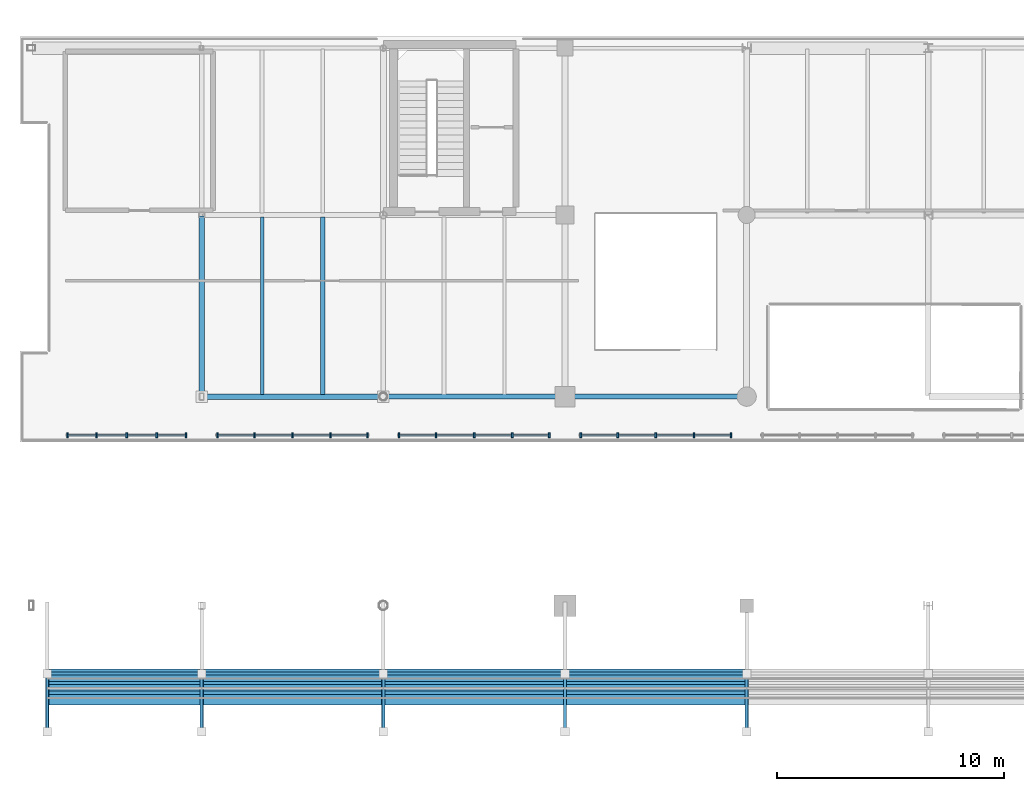
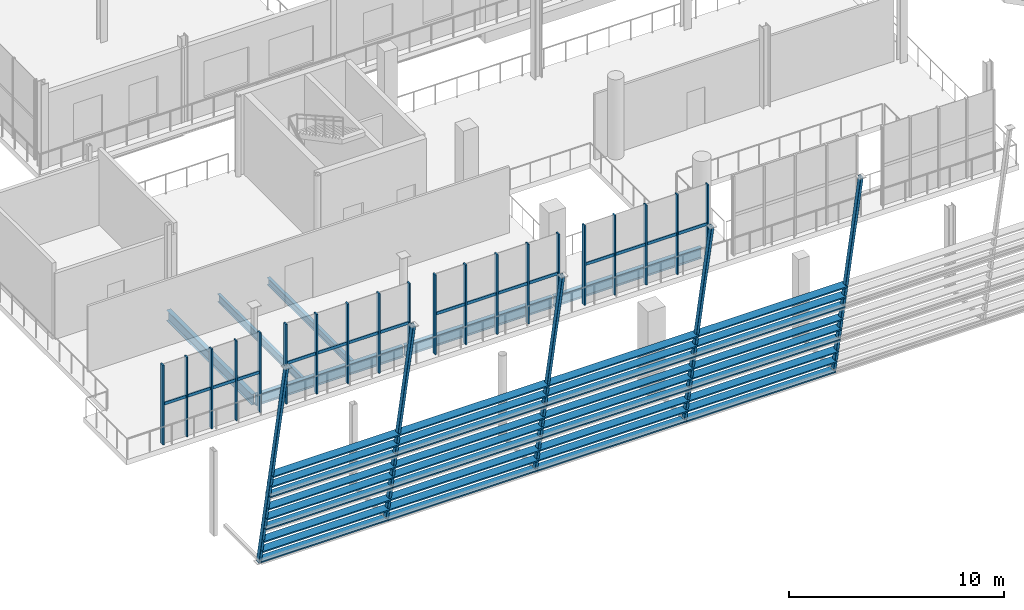
# One storey, part 30 of 93: 77 members, 6 beams, 4 elements without a shape of their own.
"""IFC4 building model written with IfcOpenShell, lengths in metres."""

from ifc_helpers import new_model, si_unit, direction, frame, origin, origin_2d, place, context, subcontext, project, spatial, rectangle, hollow_rectangle, i_section, extrude, material, material_profile, profile_set, type_object, element, aggregate, save


model = new_model("IFC4")

# Units and contexts
model_context = context("Model", 3, precision=1e-05, world=origin(), true_north=direction((0.0, 1.0)))
body_context = subcontext(model_context, "Body", "Model", "MODEL_VIEW")
ifc_project = project(units=[si_unit("LENGTHUNIT", "METRE"), si_unit("AREAUNIT", "SQUARE_METRE"), si_unit("VOLUMEUNIT", "CUBIC_METRE"), si_unit("PLANEANGLEUNIT", "RADIAN"), si_unit("MASSUNIT", "GRAM", prefix="KILO")], contexts=[model_context])

# Site, building, storey
site_placement = place(None, origin())
site = spatial("IfcSite", under=ifc_project, at=site_placement, CompositionType="ELEMENT")
building_placement = place(site_placement, origin())
building = spatial("IfcBuilding", under=site, at=building_placement, Name="Brisemont Oceanarium", CompositionType="ELEMENT")
storey_placement = place(building_placement, frame((0.0, 0.0, 5.39990234375)))
storey = spatial("IfcBuildingStorey", under=building, at=storey_placement, Name="L01", CompositionType="ELEMENT", Elevation=5.39990234375)

# Beams
ifc_material_1 = material(Name="Structural Steel ASTM A992 Gr.50", Category="steel")
ifc_material_profile_1 = material_profile(ifc_material_1, i_section(OverallWidth=0.177978515625, OverallDepth=0.404052734375, WebThickness=0.007568359375, FlangeThickness=0.010986328125, FilletRadius=0.010009765625, at=origin_2d()), Name="W16X36")
ifc_profile_set_1 = profile_set([ifc_material_profile_1], Name="Structural Steel ASTM A992 Gr.50")
beam_type_1 = type_object("IfcBeamType", Name="BM-W16X36", PredefinedType="JOIST", material=ifc_profile_set_1)
beam_1_placement = place(storey_placement, frame((21.333251953125, 16.090087890625, -0.501953125), z_axis=(0.0, 1.0, 0.0), x_axis=(-1.0, 0.0, 0.0)))
element("IfcBeam", 1, at=beam_1_placement, inside=storey, type_object=beam_type_1, Name="V2 L01 secondary floor beam", PredefinedType="JOIST", context=body_context, shape_type="SweptSolid", body=[
    extrude(i_section(OverallWidth=0.177978515625, OverallDepth=0.404052734375, WebThickness=0.007568359375, FlangeThickness=0.010986328125, FilletRadius=0.010009765625, at=origin_2d()), origin(), (0.0, 0.0, 1.0), 7.81982421875),
])
ifc_material_2 = material(Name="Structural Steel ASTM A992 Gr.50", Category="steel")
ifc_material_profile_2 = material_profile(ifc_material_2, i_section(OverallWidth=0.153076171875, OverallDepth=0.455078125, WebThickness=0.008056640625, FlangeThickness=0.01318359375, FilletRadius=0.010986328125, at=origin_2d()), Name="W18X40")
ifc_profile_set_2 = profile_set([ifc_material_profile_2], Name="Structural Steel ASTM A992 Gr.50")
beam_type_2 = type_object("IfcBeamType", Name="BM-W18X40", PredefinedType="JOIST", material=ifc_profile_set_2)
beam_2_placement = place(storey_placement, frame((18.666748046875, 16.090087890625, -0.52734375), z_axis=(0.0, 1.0, 0.0), x_axis=(-1.0, 0.0, 0.0)))
element("IfcBeam", 2, at=beam_2_placement, inside=storey, type_object=beam_type_2, Name="V2 L01 secondary floor beam", PredefinedType="JOIST", context=body_context, shape_type="SweptSolid", body=[
    extrude(i_section(OverallWidth=0.153076171875, OverallDepth=0.455078125, WebThickness=0.008056640625, FlangeThickness=0.01318359375, FilletRadius=0.010986328125, at=origin_2d()), origin(), (0.0, 0.0, 1.0), 7.81982421875),
])
ifc_material_3 = material(Name="Structural Steel ASTM A992 Gr.50", Category="steel")
ifc_material_profile_3 = material_profile(ifc_material_3, i_section(OverallWidth=0.22802734375, OverallDepth=0.60205078125, WebThickness=0.010498046875, FlangeThickness=0.014892578125, FilletRadius=0.012939453125, at=origin_2d()), Name="W24X68")
ifc_profile_set_3 = profile_set([ifc_material_profile_3], Name="Structural Steel ASTM A992 Gr.50")
beam_type_3 = type_object("IfcBeamType", Name="BM-W24X68", PredefinedType="BEAM", material=ifc_profile_set_3)
for number, where, z_axis, x_axis, name in (
    (3, (32.0400390625, 16.0, -0.600830078125), (1.0, 0.0, 0.0), (0.0, 1.0, 0.0), "V2 L01 EW girder"),
    (4, (16.0, 16.0400390625, -0.600830078125), (0.0, 1.0, 0.0), (-1.0, 0.0, 0.0), "V2 L01 NS girder"),
):
    element("IfcBeam", number, at=place(storey_placement, frame(where, z_axis=z_axis, x_axis=x_axis)), inside=storey, type_object=beam_type_3, Name=name, PredefinedType="BEAM", context=body_context, shape_type="SweptSolid", body=[
        extrude(i_section(OverallWidth=0.22802734375, OverallDepth=0.60205078125, WebThickness=0.010498046875, FlangeThickness=0.014892578125, FilletRadius=0.012939453125, at=origin_2d()), origin(), (0.0, 0.0, 1.0), 7.919921875),
    ])
ifc_material_4 = material(Name="Structural Steel ASTM A992 Gr.50", Category="steel")
ifc_material_profile_4 = material_profile(ifc_material_4, i_section(OverallWidth=0.22802734375, OverallDepth=0.60791015625, WebThickness=0.01123046875, FlangeThickness=0.017333984375, FilletRadius=0.012939453125, at=origin_2d()), Name="W24X76")
ifc_profile_set_4 = profile_set([ifc_material_profile_4], Name="Structural Steel ASTM A992 Gr.50")
beam_type_4 = type_object("IfcBeamType", Name="BM-W24X76", PredefinedType="BEAM", material=ifc_profile_set_4)
beam_3_placement = place(storey_placement, frame((24.0400390625, 16.0, -0.60400390625), z_axis=(1.0, 0.0, 0.0), x_axis=(0.0, 1.0, 0.0)))
element("IfcBeam", 5, at=beam_3_placement, inside=storey, type_object=beam_type_4, Name="V2 L01 EW girder", PredefinedType="BEAM", context=body_context, shape_type="SweptSolid", body=[
    extrude(i_section(OverallWidth=0.22802734375, OverallDepth=0.60791015625, WebThickness=0.01123046875, FlangeThickness=0.017333984375, FilletRadius=0.012939453125, at=origin_2d()), origin(), (0.0, 0.0, 1.0), 7.919921875),
])
ifc_material_5 = material(Name="Structural Steel ASTM A992 Gr.50", Category="steel")
ifc_material_profile_5 = material_profile(ifc_material_5, i_section(OverallWidth=0.22900390625, OverallDepth=0.612060546875, WebThickness=0.011962890625, FlangeThickness=0.01953125, FilletRadius=0.012939453125, at=origin_2d()), Name="W24X84")
ifc_profile_set_5 = profile_set([ifc_material_profile_5], Name="Structural Steel ASTM A992 Gr.50")
beam_type_5 = type_object("IfcBeamType", Name="BM-W24X84", PredefinedType="BEAM", material=ifc_profile_set_5)
beam_4_placement = place(storey_placement, frame((16.0400390625, 16.0, -0.60595703125), z_axis=(1.0, 0.0, 0.0), x_axis=(0.0, 1.0, 0.0)))
element("IfcBeam", 6, at=beam_4_placement, inside=storey, type_object=beam_type_5, Name="V2 L01 EW girder", PredefinedType="BEAM", context=body_context, shape_type="SweptSolid", body=[
    extrude(i_section(OverallWidth=0.22900390625, OverallDepth=0.612060546875, WebThickness=0.011962890625, FlangeThickness=0.01953125, FilletRadius=0.012939453125, at=origin_2d()), origin(), (0.0, 0.0, 1.0), 7.919921875),
])

# Curtain wall, members
ifc_material_6 = material(Name="Anodized Extruded Aluminum 6063-T6", Category="aluminium")
curtain_wall_type = type_object("IfcCurtainWallType", Name="CW-HALL-63X50", PredefinedType="NOTDEFINED", material=ifc_material_6)
curtain_wall_1_placement = place(storey_placement, origin())
curtain_wall_1 = element("IfcCurtainWall", 7, at=curtain_wall_1_placement, inside=storey, type_object=curtain_wall_type, Name="CW-05 curtain wall CW-V2-S-L01-01", PredefinedType="NOTDEFINED")
ifc_material_7 = material(Name="Anodized Extruded Aluminum 6063-T6", Category="aluminium")
ifc_material_profile_6 = material_profile(ifc_material_7, rectangle(XDim=0.074951171875, YDim=0.219970703125, at=origin_2d()), Name="CWM-75X220")
ifc_profile_set_6 = profile_set([ifc_material_profile_6], Name="Anodized Extruded Aluminum 6063-T6")
member_type_1 = type_object("IfcMemberType", Name="MEM-CWM-75", PredefinedType="MULLION", material=ifc_profile_set_6)
member_1_placement = place(storey_placement, frame((10.094970703125, 14.300048828125, 0.0), z_axis=(0.0, 0.0, 1.0), x_axis=(1.0, 0.0, 0.0)))
member_1 = element("IfcMember", 8, at=member_1_placement, type_object=member_type_1, Name="CW-V2-S-L01-01 mullion 1", PredefinedType="MULLION", context=body_context, shape_type="SweptSolid", body=[
    extrude(rectangle(XDim=0.074951171875, YDim=0.219970703125, at=origin_2d()), origin(), (0.0, 0.0, 1.0), 4.52001953125),
])
member_2_placement = place(storey_placement, frame((11.375, 14.300048828125, 0.0), z_axis=(0.0, 0.0, 1.0), x_axis=(1.0, 0.0, 0.0)))
member_2 = element("IfcMember", 9, at=member_2_placement, type_object=member_type_1, Name="CW-V2-S-L01-01 mullion 2", PredefinedType="MULLION", context=body_context, shape_type="SweptSolid", body=[
    extrude(rectangle(XDim=0.074951171875, YDim=0.219970703125, at=origin_2d()), origin(), (0.0, 0.0, 1.0), 4.52001953125),
])
member_3_placement = place(storey_placement, frame((12.699951171875, 14.300048828125, 0.0), z_axis=(0.0, 0.0, 1.0), x_axis=(1.0, 0.0, 0.0)))
member_3 = element("IfcMember", 10, at=member_3_placement, type_object=member_type_1, Name="CW-V2-S-L01-01 mullion 3", PredefinedType="MULLION", context=body_context, shape_type="SweptSolid", body=[
    extrude(rectangle(XDim=0.074951171875, YDim=0.219970703125, at=origin_2d()), origin(), (0.0, 0.0, 1.0), 4.52001953125),
])
member_4_placement = place(storey_placement, frame((14.02490234375, 14.300048828125, 0.0), z_axis=(0.0, 0.0, 1.0), x_axis=(1.0, 0.0, 0.0)))
member_4 = element("IfcMember", 11, at=member_4_placement, type_object=member_type_1, Name="CW-V2-S-L01-01 mullion 4", PredefinedType="MULLION", context=body_context, shape_type="SweptSolid", body=[
    extrude(rectangle(XDim=0.074951171875, YDim=0.219970703125, at=origin_2d()), origin(), (0.0, 0.0, 1.0), 4.52001953125),
])
member_5_placement = place(storey_placement, frame((15.304931640625, 14.300048828125, 0.0), z_axis=(0.0, 0.0, 1.0), x_axis=(1.0, 0.0, 0.0)))
member_5 = element("IfcMember", 12, at=member_5_placement, type_object=member_type_1, Name="CW-V2-S-L01-01 mullion 5", PredefinedType="MULLION", context=body_context, shape_type="SweptSolid", body=[
    extrude(rectangle(XDim=0.074951171875, YDim=0.219970703125, at=origin_2d()), origin(), (0.0, 0.0, 1.0), 4.52001953125),
])

curtain_wall_2_placement = place(storey_placement, origin())
curtain_wall_2 = element("IfcCurtainWall", 13, at=curtain_wall_2_placement, inside=storey, type_object=curtain_wall_type, Name="CW-05 curtain wall CW-V2-S-L01-02", PredefinedType="NOTDEFINED")
member_6_placement = place(storey_placement, frame((16.695068359375, 14.300048828125, 0.0), z_axis=(0.0, 0.0, 1.0), x_axis=(1.0, 0.0, 0.0)))
member_6 = element("IfcMember", 14, at=member_6_placement, type_object=member_type_1, Name="CW-V2-S-L01-02 mullion 1", PredefinedType="MULLION", context=body_context, shape_type="SweptSolid", body=[
    extrude(rectangle(XDim=0.074951171875, YDim=0.219970703125, at=origin_2d()), origin(), (0.0, 0.0, 1.0), 4.52001953125),
])
member_7_placement = place(storey_placement, frame((18.324951171875, 14.300048828125, 0.0), z_axis=(0.0, 0.0, 1.0), x_axis=(1.0, 0.0, 0.0)))
member_7 = element("IfcMember", 15, at=member_7_placement, type_object=member_type_1, Name="CW-V2-S-L01-02 mullion 2", PredefinedType="MULLION", context=body_context, shape_type="SweptSolid", body=[
    extrude(rectangle(XDim=0.074951171875, YDim=0.219970703125, at=origin_2d()), origin(), (0.0, 0.0, 1.0), 4.52001953125),
])
member_8_placement = place(storey_placement, frame((20.0, 14.300048828125, 0.0), z_axis=(0.0, 0.0, 1.0), x_axis=(1.0, 0.0, 0.0)))
member_8 = element("IfcMember", 16, at=member_8_placement, type_object=member_type_1, Name="CW-V2-S-L01-02 mullion 3", PredefinedType="MULLION", context=body_context, shape_type="SweptSolid", body=[
    extrude(rectangle(XDim=0.074951171875, YDim=0.219970703125, at=origin_2d()), origin(), (0.0, 0.0, 1.0), 4.52001953125),
])
member_9_placement = place(storey_placement, frame((21.675048828125, 14.300048828125, 0.0), z_axis=(0.0, 0.0, 1.0), x_axis=(1.0, 0.0, 0.0)))
member_9 = element("IfcMember", 17, at=member_9_placement, type_object=member_type_1, Name="CW-V2-S-L01-02 mullion 4", PredefinedType="MULLION", context=body_context, shape_type="SweptSolid", body=[
    extrude(rectangle(XDim=0.074951171875, YDim=0.219970703125, at=origin_2d()), origin(), (0.0, 0.0, 1.0), 4.52001953125),
])
member_10_placement = place(storey_placement, frame((23.304931640625, 14.300048828125, 0.0), z_axis=(0.0, 0.0, 1.0), x_axis=(1.0, 0.0, 0.0)))
member_10 = element("IfcMember", 18, at=member_10_placement, type_object=member_type_1, Name="CW-V2-S-L01-02 mullion 5", PredefinedType="MULLION", context=body_context, shape_type="SweptSolid", body=[
    extrude(rectangle(XDim=0.074951171875, YDim=0.219970703125, at=origin_2d()), origin(), (0.0, 0.0, 1.0), 4.52001953125),
])

curtain_wall_3_placement = place(storey_placement, origin())
curtain_wall_3 = element("IfcCurtainWall", 19, at=curtain_wall_3_placement, inside=storey, type_object=curtain_wall_type, Name="CW-05 curtain wall CW-V2-S-L01-03", PredefinedType="NOTDEFINED")
member_11_placement = place(storey_placement, frame((24.695068359375, 14.300048828125, 0.0), z_axis=(0.0, 0.0, 1.0), x_axis=(1.0, 0.0, 0.0)))
member_11 = element("IfcMember", 20, at=member_11_placement, type_object=member_type_1, Name="CW-V2-S-L01-03 mullion 1", PredefinedType="MULLION", context=body_context, shape_type="SweptSolid", body=[
    extrude(rectangle(XDim=0.074951171875, YDim=0.219970703125, at=origin_2d()), origin(), (0.0, 0.0, 1.0), 4.52001953125),
])
member_12_placement = place(storey_placement, frame((26.324951171875, 14.300048828125, 0.0), z_axis=(0.0, 0.0, 1.0), x_axis=(1.0, 0.0, 0.0)))
member_12 = element("IfcMember", 21, at=member_12_placement, type_object=member_type_1, Name="CW-V2-S-L01-03 mullion 2", PredefinedType="MULLION", context=body_context, shape_type="SweptSolid", body=[
    extrude(rectangle(XDim=0.074951171875, YDim=0.219970703125, at=origin_2d()), origin(), (0.0, 0.0, 1.0), 4.52001953125),
])
member_13_placement = place(storey_placement, frame((28.0, 14.300048828125, 0.0), z_axis=(0.0, 0.0, 1.0), x_axis=(1.0, 0.0, 0.0)))
member_13 = element("IfcMember", 22, at=member_13_placement, type_object=member_type_1, Name="CW-V2-S-L01-03 mullion 3", PredefinedType="MULLION", context=body_context, shape_type="SweptSolid", body=[
    extrude(rectangle(XDim=0.074951171875, YDim=0.219970703125, at=origin_2d()), origin(), (0.0, 0.0, 1.0), 4.52001953125),
])
member_14_placement = place(storey_placement, frame((29.675048828125, 14.300048828125, 0.0), z_axis=(0.0, 0.0, 1.0), x_axis=(1.0, 0.0, 0.0)))
member_14 = element("IfcMember", 23, at=member_14_placement, type_object=member_type_1, Name="CW-V2-S-L01-03 mullion 4", PredefinedType="MULLION", context=body_context, shape_type="SweptSolid", body=[
    extrude(rectangle(XDim=0.074951171875, YDim=0.219970703125, at=origin_2d()), origin(), (0.0, 0.0, 1.0), 4.52001953125),
])
member_15_placement = place(storey_placement, frame((31.304931640625, 14.300048828125, 0.0), z_axis=(0.0, 0.0, 1.0), x_axis=(1.0, 0.0, 0.0)))
member_15 = element("IfcMember", 24, at=member_15_placement, type_object=member_type_1, Name="CW-V2-S-L01-03 mullion 5", PredefinedType="MULLION", context=body_context, shape_type="SweptSolid", body=[
    extrude(rectangle(XDim=0.074951171875, YDim=0.219970703125, at=origin_2d()), origin(), (0.0, 0.0, 1.0), 4.52001953125),
])

curtain_wall_4_placement = place(storey_placement, origin())
curtain_wall_4 = element("IfcCurtainWall", 25, at=curtain_wall_4_placement, inside=storey, type_object=curtain_wall_type, Name="CW-05 curtain wall CW-V2-S-L01-04", PredefinedType="NOTDEFINED")
member_16_placement = place(storey_placement, frame((32.695068359375, 14.300048828125, 0.0), z_axis=(0.0, 0.0, 1.0), x_axis=(1.0, 0.0, 0.0)))
member_16 = element("IfcMember", 26, at=member_16_placement, type_object=member_type_1, Name="CW-V2-S-L01-04 mullion 1", PredefinedType="MULLION", context=body_context, shape_type="SweptSolid", body=[
    extrude(rectangle(XDim=0.074951171875, YDim=0.219970703125, at=origin_2d()), origin(), (0.0, 0.0, 1.0), 4.52001953125),
])
member_17_placement = place(storey_placement, frame((34.324951171875, 14.300048828125, 0.0), z_axis=(0.0, 0.0, 1.0), x_axis=(1.0, 0.0, 0.0)))
member_17 = element("IfcMember", 27, at=member_17_placement, type_object=member_type_1, Name="CW-V2-S-L01-04 mullion 2", PredefinedType="MULLION", context=body_context, shape_type="SweptSolid", body=[
    extrude(rectangle(XDim=0.074951171875, YDim=0.219970703125, at=origin_2d()), origin(), (0.0, 0.0, 1.0), 4.52001953125),
])
member_18_placement = place(storey_placement, frame((36.0, 14.300048828125, 0.0), z_axis=(0.0, 0.0, 1.0), x_axis=(1.0, 0.0, 0.0)))
member_18 = element("IfcMember", 28, at=member_18_placement, type_object=member_type_1, Name="CW-V2-S-L01-04 mullion 3", PredefinedType="MULLION", context=body_context, shape_type="SweptSolid", body=[
    extrude(rectangle(XDim=0.074951171875, YDim=0.219970703125, at=origin_2d()), origin(), (0.0, 0.0, 1.0), 4.52001953125),
])
member_19_placement = place(storey_placement, frame((37.675048828125, 14.300048828125, 0.0), z_axis=(0.0, 0.0, 1.0), x_axis=(1.0, 0.0, 0.0)))
member_19 = element("IfcMember", 29, at=member_19_placement, type_object=member_type_1, Name="CW-V2-S-L01-04 mullion 4", PredefinedType="MULLION", context=body_context, shape_type="SweptSolid", body=[
    extrude(rectangle(XDim=0.074951171875, YDim=0.219970703125, at=origin_2d()), origin(), (0.0, 0.0, 1.0), 4.52001953125),
])
member_20_placement = place(storey_placement, frame((39.304931640625, 14.300048828125, 0.0), z_axis=(0.0, 0.0, 1.0), x_axis=(1.0, 0.0, 0.0)))
member_20 = element("IfcMember", 30, at=member_20_placement, type_object=member_type_1, Name="CW-V2-S-L01-04 mullion 5", PredefinedType="MULLION", context=body_context, shape_type="SweptSolid", body=[
    extrude(rectangle(XDim=0.074951171875, YDim=0.219970703125, at=origin_2d()), origin(), (0.0, 0.0, 1.0), 4.52001953125),
])

# Member
ifc_material_8 = material(Name="Anodized Extruded Aluminum 6063-T6", Category="aluminium")
ifc_material_profile_7 = material_profile(ifc_material_8, rectangle(XDim=0.074951171875, YDim=0.1650390625, at=origin_2d()), Name="CWT-75X165")
ifc_profile_set_7 = profile_set([ifc_material_profile_7], Name="Anodized Extruded Aluminum 6063-T6")
member_type_2 = type_object("IfcMemberType", Name="MEM-CWT-75", PredefinedType="USERDEFINED", material=ifc_profile_set_7)
member_21_placement = place(storey_placement, frame((10.06494140625, 14.300048828125, 2.260009765625), z_axis=(1.0, 0.0, 0.0), x_axis=(0.0, 1.0, 0.0)))
member_21 = element("IfcMember", 31, at=member_21_placement, type_object=member_type_2, Name="CW-V2-S-L01-01 transom 1.1", ObjectType="TRANSOM", PredefinedType="USERDEFINED", context=body_context, shape_type="SweptSolid", body=[
    extrude(rectangle(XDim=0.074951171875, YDim=0.1650390625, at=origin_2d()), origin(), (0.0, 0.0, 1.0), 1.295166015625),
])

member_22_placement = place(storey_placement, frame((11.389892578125, 14.300048828125, 2.260009765625), z_axis=(1.0, 0.0, 0.0), x_axis=(0.0, 1.0, 0.0)))
member_22 = element("IfcMember", 32, at=member_22_placement, type_object=member_type_2, Name="CW-V2-S-L01-01 transom 2.1", ObjectType="TRANSOM", PredefinedType="USERDEFINED", context=body_context, shape_type="SweptSolid", body=[
    extrude(rectangle(XDim=0.074951171875, YDim=0.1650390625, at=origin_2d()), origin(), (0.0, 0.0, 1.0), 1.295166015625),
])

member_23_placement = place(storey_placement, frame((12.715087890625, 14.300048828125, 2.260009765625), z_axis=(1.0, 0.0, 0.0), x_axis=(0.0, 1.0, 0.0)))
member_23 = element("IfcMember", 33, at=member_23_placement, type_object=member_type_2, Name="CW-V2-S-L01-01 transom 3.1", ObjectType="TRANSOM", PredefinedType="USERDEFINED", context=body_context, shape_type="SweptSolid", body=[
    extrude(rectangle(XDim=0.074951171875, YDim=0.1650390625, at=origin_2d()), origin(), (0.0, 0.0, 1.0), 1.294921875),
])

member_24_placement = place(storey_placement, frame((14.0400390625, 14.300048828125, 2.260009765625), z_axis=(1.0, 0.0, 0.0), x_axis=(0.0, 1.0, 0.0)))
member_24 = element("IfcMember", 34, at=member_24_placement, type_object=member_type_2, Name="CW-V2-S-L01-01 transom 4.1", ObjectType="TRANSOM", PredefinedType="USERDEFINED", context=body_context, shape_type="SweptSolid", body=[
    extrude(rectangle(XDim=0.074951171875, YDim=0.1650390625, at=origin_2d()), origin(), (0.0, 0.0, 1.0), 1.294921875),
])

aggregate(curtain_wall_1, [member_1, member_2, member_3, member_4, member_5, member_21, member_22, member_23, member_24])

member_25_placement = place(storey_placement, frame((16.6650390625, 14.300048828125, 2.260009765625), z_axis=(1.0, 0.0, 0.0), x_axis=(0.0, 1.0, 0.0)))
member_25 = element("IfcMember", 35, at=member_25_placement, type_object=member_type_2, Name="CW-V2-S-L01-02 transom 1.1", ObjectType="TRANSOM", PredefinedType="USERDEFINED", context=body_context, shape_type="SweptSolid", body=[
    extrude(rectangle(XDim=0.074951171875, YDim=0.1650390625, at=origin_2d()), origin(), (0.0, 0.0, 1.0), 1.64501953125),
])

member_26_placement = place(storey_placement, frame((18.340087890625, 14.300048828125, 2.260009765625), z_axis=(1.0, 0.0, 0.0), x_axis=(0.0, 1.0, 0.0)))
member_26 = element("IfcMember", 36, at=member_26_placement, type_object=member_type_2, Name="CW-V2-S-L01-02 transom 2.1", ObjectType="TRANSOM", PredefinedType="USERDEFINED", context=body_context, shape_type="SweptSolid", body=[
    extrude(rectangle(XDim=0.074951171875, YDim=0.1650390625, at=origin_2d()), origin(), (0.0, 0.0, 1.0), 1.64501953125),
])

member_27_placement = place(storey_placement, frame((20.014892578125, 14.300048828125, 2.260009765625), z_axis=(1.0, 0.0, 0.0), x_axis=(0.0, 1.0, 0.0)))
member_27 = element("IfcMember", 37, at=member_27_placement, type_object=member_type_2, Name="CW-V2-S-L01-02 transom 3.1", ObjectType="TRANSOM", PredefinedType="USERDEFINED", context=body_context, shape_type="SweptSolid", body=[
    extrude(rectangle(XDim=0.074951171875, YDim=0.1650390625, at=origin_2d()), origin(), (0.0, 0.0, 1.0), 1.64501953125),
])

member_28_placement = place(storey_placement, frame((21.68994140625, 14.300048828125, 2.260009765625), z_axis=(1.0, 0.0, 0.0), x_axis=(0.0, 1.0, 0.0)))
member_28 = element("IfcMember", 38, at=member_28_placement, type_object=member_type_2, Name="CW-V2-S-L01-02 transom 4.1", ObjectType="TRANSOM", PredefinedType="USERDEFINED", context=body_context, shape_type="SweptSolid", body=[
    extrude(rectangle(XDim=0.074951171875, YDim=0.1650390625, at=origin_2d()), origin(), (0.0, 0.0, 1.0), 1.64501953125),
])

aggregate(curtain_wall_2, [member_6, member_7, member_8, member_9, member_10, member_25, member_26, member_27, member_28])

member_29_placement = place(storey_placement, frame((24.6650390625, 14.300048828125, 2.260009765625), z_axis=(1.0, 0.0, 0.0), x_axis=(0.0, 1.0, 0.0)))
member_29 = element("IfcMember", 39, at=member_29_placement, type_object=member_type_2, Name="CW-V2-S-L01-03 transom 1.1", ObjectType="TRANSOM", PredefinedType="USERDEFINED", context=body_context, shape_type="SweptSolid", body=[
    extrude(rectangle(XDim=0.074951171875, YDim=0.1650390625, at=origin_2d()), origin(), (0.0, 0.0, 1.0), 1.64501953125),
])

member_30_placement = place(storey_placement, frame((26.340087890625, 14.300048828125, 2.260009765625), z_axis=(1.0, 0.0, 0.0), x_axis=(0.0, 1.0, 0.0)))
member_30 = element("IfcMember", 40, at=member_30_placement, type_object=member_type_2, Name="CW-V2-S-L01-03 transom 2.1", ObjectType="TRANSOM", PredefinedType="USERDEFINED", context=body_context, shape_type="SweptSolid", body=[
    extrude(rectangle(XDim=0.074951171875, YDim=0.1650390625, at=origin_2d()), origin(), (0.0, 0.0, 1.0), 1.64501953125),
])

member_31_placement = place(storey_placement, frame((28.014892578125, 14.300048828125, 2.260009765625), z_axis=(1.0, 0.0, 0.0), x_axis=(0.0, 1.0, 0.0)))
member_31 = element("IfcMember", 41, at=member_31_placement, type_object=member_type_2, Name="CW-V2-S-L01-03 transom 3.1", ObjectType="TRANSOM", PredefinedType="USERDEFINED", context=body_context, shape_type="SweptSolid", body=[
    extrude(rectangle(XDim=0.074951171875, YDim=0.1650390625, at=origin_2d()), origin(), (0.0, 0.0, 1.0), 1.64501953125),
])

member_32_placement = place(storey_placement, frame((29.68994140625, 14.300048828125, 2.260009765625), z_axis=(1.0, 0.0, 0.0), x_axis=(0.0, 1.0, 0.0)))
member_32 = element("IfcMember", 42, at=member_32_placement, type_object=member_type_2, Name="CW-V2-S-L01-03 transom 4.1", ObjectType="TRANSOM", PredefinedType="USERDEFINED", context=body_context, shape_type="SweptSolid", body=[
    extrude(rectangle(XDim=0.074951171875, YDim=0.1650390625, at=origin_2d()), origin(), (0.0, 0.0, 1.0), 1.64501953125),
])

aggregate(curtain_wall_3, [member_11, member_12, member_13, member_14, member_15, member_29, member_30, member_31, member_32])

member_33_placement = place(storey_placement, frame((32.6650390625, 14.300048828125, 2.260009765625), z_axis=(1.0, 0.0, 0.0), x_axis=(0.0, 1.0, 0.0)))
member_33 = element("IfcMember", 43, at=member_33_placement, type_object=member_type_2, Name="CW-V2-S-L01-04 transom 1.1", ObjectType="TRANSOM", PredefinedType="USERDEFINED", context=body_context, shape_type="SweptSolid", body=[
    extrude(rectangle(XDim=0.074951171875, YDim=0.1650390625, at=origin_2d()), origin(), (0.0, 0.0, 1.0), 1.64501953125),
])

member_34_placement = place(storey_placement, frame((34.340087890625, 14.300048828125, 2.260009765625), z_axis=(1.0, 0.0, 0.0), x_axis=(0.0, 1.0, 0.0)))
member_34 = element("IfcMember", 44, at=member_34_placement, type_object=member_type_2, Name="CW-V2-S-L01-04 transom 2.1", ObjectType="TRANSOM", PredefinedType="USERDEFINED", context=body_context, shape_type="SweptSolid", body=[
    extrude(rectangle(XDim=0.074951171875, YDim=0.1650390625, at=origin_2d()), origin(), (0.0, 0.0, 1.0), 1.64501953125),
])

member_35_placement = place(storey_placement, frame((36.014892578125, 14.300048828125, 2.260009765625), z_axis=(1.0, 0.0, 0.0), x_axis=(0.0, 1.0, 0.0)))
member_35 = element("IfcMember", 45, at=member_35_placement, type_object=member_type_2, Name="CW-V2-S-L01-04 transom 3.1", ObjectType="TRANSOM", PredefinedType="USERDEFINED", context=body_context, shape_type="SweptSolid", body=[
    extrude(rectangle(XDim=0.074951171875, YDim=0.1650390625, at=origin_2d()), origin(), (0.0, 0.0, 1.0), 1.64501953125),
])

member_36_placement = place(storey_placement, frame((37.68994140625, 14.300048828125, 2.260009765625), z_axis=(1.0, 0.0, 0.0), x_axis=(0.0, 1.0, 0.0)))
member_36 = element("IfcMember", 46, at=member_36_placement, type_object=member_type_2, Name="CW-V2-S-L01-04 transom 4.1", ObjectType="TRANSOM", PredefinedType="USERDEFINED", context=body_context, shape_type="SweptSolid", body=[
    extrude(rectangle(XDim=0.074951171875, YDim=0.1650390625, at=origin_2d()), origin(), (0.0, 0.0, 1.0), 1.64501953125),
])

aggregate(curtain_wall_4, [member_16, member_17, member_18, member_19, member_20, member_33, member_34, member_35, member_36])

# Members
ifc_material_9 = material(Name="Architectural Bronze-Anodized Cedar Composite")
ifc_material_profile_8 = material_profile(ifc_material_9, rectangle(XDim=0.47998046875, YDim=0.074951171875, at=origin_2d()), Name="LOUVRE-480X75")
ifc_profile_set_8 = profile_set([ifc_material_profile_8], Name="Architectural Bronze-Anodized Cedar Composite")
member_type_3 = type_object("IfcMemberType", Name="MEM-LV-480", PredefinedType="USERDEFINED", material=ifc_profile_set_8)
for number, where, z_axis, x_axis, name in (
    (47, (9.199951171875, 3.773681640625, 0.130126953125), (1.0, 0.0, 0.0), (0.0, 1.0, 0.0), "V2 stepped horizontal louvre blade T1.1.1"),
    (48, (9.199951171875, 3.641357421875, 0.780029296875), (1.0, 0.0, 0.0), (0.0, 1.0, 0.0), "V2 stepped horizontal louvre blade T1.1.2"),
    (49, (9.199951171875, 3.509033203125, 1.43017578125), (1.0, 0.0, 0.0), (0.0, 1.0, 0.0), "V2 stepped horizontal louvre blade T1.1.3"),
):
    element("IfcMember", number, at=place(storey_placement, frame(where, z_axis=z_axis, x_axis=x_axis)), inside=storey, type_object=member_type_3, Name=name, ObjectType="LOUVRE_BLADE", PredefinedType="USERDEFINED", context=body_context, shape_type="SweptSolid", body=[
        extrude(rectangle(XDim=0.47998046875, YDim=0.074951171875, at=origin_2d()), origin(), (0.0, 0.0, 1.0), 6.800048828125),
    ])
for number, where, z_axis, x_axis, name in (
    (50, (16.0, 3.773681640625, 0.130126953125), (1.0, 0.0, 0.0), (0.0, 1.0, 0.0), "V2 stepped horizontal louvre blade T1.2.1"),
    (51, (16.0, 3.641357421875, 0.780029296875), (1.0, 0.0, 0.0), (0.0, 1.0, 0.0), "V2 stepped horizontal louvre blade T1.2.2"),
    (52, (16.0, 3.509033203125, 1.43017578125), (1.0, 0.0, 0.0), (0.0, 1.0, 0.0), "V2 stepped horizontal louvre blade T1.2.3"),
    (53, (24.0, 3.773681640625, 0.130126953125), (1.0, 0.0, 0.0), (0.0, 1.0, 0.0), "V2 stepped horizontal louvre blade T1.3.1"),
    (54, (24.0, 3.641357421875, 0.780029296875), (1.0, 0.0, 0.0), (0.0, 1.0, 0.0), "V2 stepped horizontal louvre blade T1.3.2"),
    (55, (24.0, 3.509033203125, 1.43017578125), (1.0, 0.0, 0.0), (0.0, 1.0, 0.0), "V2 stepped horizontal louvre blade T1.3.3"),
    (56, (32.0, 3.773681640625, 0.130126953125), (1.0, 0.0, 0.0), (0.0, 1.0, 0.0), "V2 stepped horizontal louvre blade T1.4.1"),
    (57, (32.0, 3.641357421875, 0.780029296875), (1.0, 0.0, 0.0), (0.0, 1.0, 0.0), "V2 stepped horizontal louvre blade T1.4.2"),
    (58, (32.0, 3.509033203125, 1.43017578125), (1.0, 0.0, 0.0), (0.0, 1.0, 0.0), "V2 stepped horizontal louvre blade T1.4.3"),
):
    element("IfcMember", number, at=place(storey_placement, frame(where, z_axis=z_axis, x_axis=x_axis)), inside=storey, type_object=member_type_3, Name=name, ObjectType="LOUVRE_BLADE", PredefinedType="USERDEFINED", context=body_context, shape_type="SweptSolid", body=[
        extrude(rectangle(XDim=0.47998046875, YDim=0.074951171875, at=origin_2d()), origin(), (0.0, 0.0, 1.0), 8.0),
    ])
for number, where, z_axis, x_axis, name in (
    (59, (9.199951171875, 3.34619140625, 2.22998046875), (1.0, 0.0, 0.0), (0.0, 1.0, 0.0), "V2 stepped horizontal louvre blade T2.1.1"),
    (60, (9.199951171875, 3.214111328125, 2.880126953125), (1.0, 0.0, 0.0), (0.0, 1.0, 0.0), "V2 stepped horizontal louvre blade T2.1.2"),
    (61, (9.199951171875, 3.081787109375, 3.530029296875), (1.0, 0.0, 0.0), (0.0, 1.0, 0.0), "V2 stepped horizontal louvre blade T2.1.3"),
):
    element("IfcMember", number, at=place(storey_placement, frame(where, z_axis=z_axis, x_axis=x_axis)), inside=storey, type_object=member_type_3, Name=name, ObjectType="LOUVRE_BLADE", PredefinedType="USERDEFINED", context=body_context, shape_type="SweptSolid", body=[
        extrude(rectangle(XDim=0.47998046875, YDim=0.074951171875, at=origin_2d()), origin(), (0.0, 0.0, 1.0), 6.800048828125),
    ])
for number, where, z_axis, x_axis, name in (
    (62, (16.0, 3.34619140625, 2.22998046875), (1.0, 0.0, 0.0), (0.0, 1.0, 0.0), "V2 stepped horizontal louvre blade T2.2.1"),
    (63, (16.0, 3.214111328125, 2.880126953125), (1.0, 0.0, 0.0), (0.0, 1.0, 0.0), "V2 stepped horizontal louvre blade T2.2.2"),
    (64, (16.0, 3.081787109375, 3.530029296875), (1.0, 0.0, 0.0), (0.0, 1.0, 0.0), "V2 stepped horizontal louvre blade T2.2.3"),
    (65, (24.0, 3.34619140625, 2.22998046875), (1.0, 0.0, 0.0), (0.0, 1.0, 0.0), "V2 stepped horizontal louvre blade T2.3.1"),
    (66, (24.0, 3.214111328125, 2.880126953125), (1.0, 0.0, 0.0), (0.0, 1.0, 0.0), "V2 stepped horizontal louvre blade T2.3.2"),
    (67, (24.0, 3.081787109375, 3.530029296875), (1.0, 0.0, 0.0), (0.0, 1.0, 0.0), "V2 stepped horizontal louvre blade T2.3.3"),
    (68, (32.0, 3.34619140625, 2.22998046875), (1.0, 0.0, 0.0), (0.0, 1.0, 0.0), "V2 stepped horizontal louvre blade T2.4.1"),
    (69, (32.0, 3.214111328125, 2.880126953125), (1.0, 0.0, 0.0), (0.0, 1.0, 0.0), "V2 stepped horizontal louvre blade T2.4.2"),
    (70, (32.0, 3.081787109375, 3.530029296875), (1.0, 0.0, 0.0), (0.0, 1.0, 0.0), "V2 stepped horizontal louvre blade T2.4.3"),
):
    element("IfcMember", number, at=place(storey_placement, frame(where, z_axis=z_axis, x_axis=x_axis)), inside=storey, type_object=member_type_3, Name=name, ObjectType="LOUVRE_BLADE", PredefinedType="USERDEFINED", context=body_context, shape_type="SweptSolid", body=[
        extrude(rectangle(XDim=0.47998046875, YDim=0.074951171875, at=origin_2d()), origin(), (0.0, 0.0, 1.0), 8.0),
    ])
for number, where, z_axis, x_axis, name in (
    (71, (9.199951171875, 2.919189453125, 4.330078125), (1.0, 0.0, 0.0), (0.0, 1.0, 0.0), "V2 stepped horizontal louvre blade T3.1.1"),
    (72, (9.199951171875, 2.786865234375, 4.97998046875), (1.0, 0.0, 0.0), (0.0, 1.0, 0.0), "V2 stepped horizontal louvre blade T3.1.2"),
    (73, (9.199951171875, 2.654541015625, 5.630126953125), (1.0, 0.0, 0.0), (0.0, 1.0, 0.0), "V2 stepped horizontal louvre blade T3.1.3"),
):
    element("IfcMember", number, at=place(storey_placement, frame(where, z_axis=z_axis, x_axis=x_axis)), inside=storey, type_object=member_type_3, Name=name, ObjectType="LOUVRE_BLADE", PredefinedType="USERDEFINED", context=body_context, shape_type="SweptSolid", body=[
        extrude(rectangle(XDim=0.47998046875, YDim=0.074951171875, at=origin_2d()), origin(), (0.0, 0.0, 1.0), 6.800048828125),
    ])
for number, where, z_axis, x_axis, name in (
    (74, (16.0, 2.919189453125, 4.330078125), (1.0, 0.0, 0.0), (0.0, 1.0, 0.0), "V2 stepped horizontal louvre blade T3.2.1"),
    (75, (16.0, 2.786865234375, 4.97998046875), (1.0, 0.0, 0.0), (0.0, 1.0, 0.0), "V2 stepped horizontal louvre blade T3.2.2"),
    (76, (16.0, 2.654541015625, 5.630126953125), (1.0, 0.0, 0.0), (0.0, 1.0, 0.0), "V2 stepped horizontal louvre blade T3.2.3"),
    (77, (24.0, 2.919189453125, 4.330078125), (1.0, 0.0, 0.0), (0.0, 1.0, 0.0), "V2 stepped horizontal louvre blade T3.3.1"),
    (78, (24.0, 2.786865234375, 4.97998046875), (1.0, 0.0, 0.0), (0.0, 1.0, 0.0), "V2 stepped horizontal louvre blade T3.3.2"),
    (79, (24.0, 2.654541015625, 5.630126953125), (1.0, 0.0, 0.0), (0.0, 1.0, 0.0), "V2 stepped horizontal louvre blade T3.3.3"),
    (80, (32.0, 2.919189453125, 4.330078125), (1.0, 0.0, 0.0), (0.0, 1.0, 0.0), "V2 stepped horizontal louvre blade T3.4.1"),
    (81, (32.0, 2.786865234375, 4.97998046875), (1.0, 0.0, 0.0), (0.0, 1.0, 0.0), "V2 stepped horizontal louvre blade T3.4.2"),
    (82, (32.0, 2.654541015625, 5.630126953125), (1.0, 0.0, 0.0), (0.0, 1.0, 0.0), "V2 stepped horizontal louvre blade T3.4.3"),
):
    element("IfcMember", number, at=place(storey_placement, frame(where, z_axis=z_axis, x_axis=x_axis)), inside=storey, type_object=member_type_3, Name=name, ObjectType="LOUVRE_BLADE", PredefinedType="USERDEFINED", context=body_context, shape_type="SweptSolid", body=[
        extrude(rectangle(XDim=0.47998046875, YDim=0.074951171875, at=origin_2d()), origin(), (0.0, 0.0, 1.0), 8.0),
    ])
ifc_material_10 = material(Name="Structural Steel ASTM A500 Gr.C", Category="steel")
ifc_material_profile_9 = material_profile(ifc_material_10, hollow_rectangle(XDim=0.152099609375, YDim=0.25390625, WallThickness=0.0087890625, InnerFilletRadius=0.009033203125, OuterFilletRadius=0.01806640625, at=origin_2d()), Name="HSS10X6X3/8")
ifc_profile_set_9 = profile_set([ifc_material_profile_9], Name="Structural Steel ASTM A500 Gr.C")
member_type_4 = type_object("IfcMemberType", Name="MEM-ST-HSS10X6", PredefinedType="STRUT", material=ifc_profile_set_9)
for number, where, z_axis, x_axis, name in (
    (83, (9.199951171875, 3.800048828125, 0.0), (0.0, -0.199364777047, 0.97992534699), (1.0, 0.0, 0.0), "V2 inclined 11.5-deg louvre post S1"),
    (84, (16.0, 3.800048828125, 0.0), (0.0, -0.199364777047, 0.97992534699), (1.0, 0.0, 0.0), "V2 inclined 11.5-deg louvre post S2"),
    (85, (24.0, 3.800048828125, 0.0), (0.0, -0.199364777047, 0.97992534699), (1.0, 0.0, 0.0), "V2 inclined 11.5-deg louvre post S3"),
    (86, (32.0, 3.800048828125, 0.0), (0.0, -0.199364777047, 0.97992534699), (1.0, 0.0, 0.0), "V2 inclined 11.5-deg louvre post S4"),
    (87, (40.0, 3.800048828125, 0.0), (0.0, -0.199364777047, 0.97992534699), (1.0, 0.0, 0.0), "V2 inclined 11.5-deg louvre post S5"),
):
    element("IfcMember", number, at=place(storey_placement, frame(where, z_axis=z_axis, x_axis=x_axis)), inside=storey, type_object=member_type_4, Name=name, PredefinedType="STRUT", context=body_context, shape_type="SweptSolid", body=[
        extrude(hollow_rectangle(XDim=0.152099609375, YDim=0.25390625, WallThickness=0.0087890625, InnerFilletRadius=0.009033203125, OuterFilletRadius=0.01806640625, at=origin_2d()), origin(), (0.0, 0.0, 1.0), 12.858154296875),
    ])

save(model, "model.ifc")
